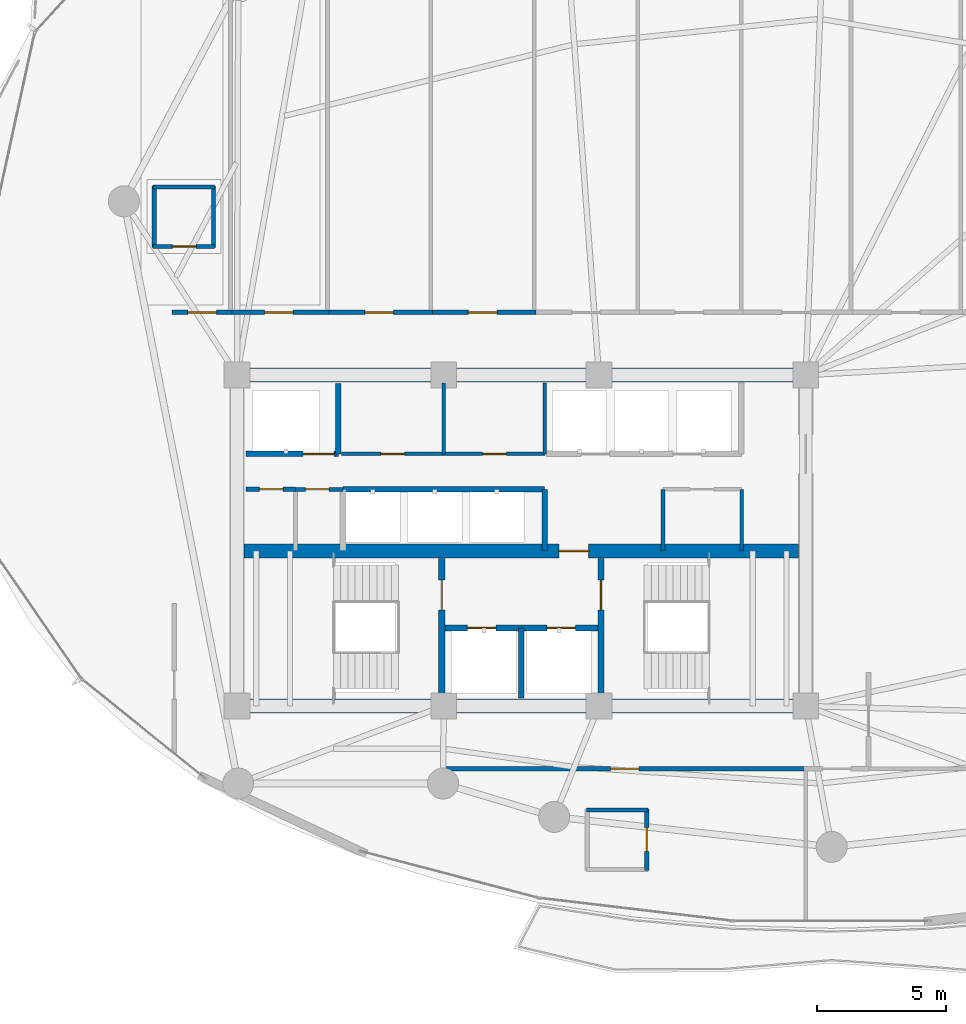
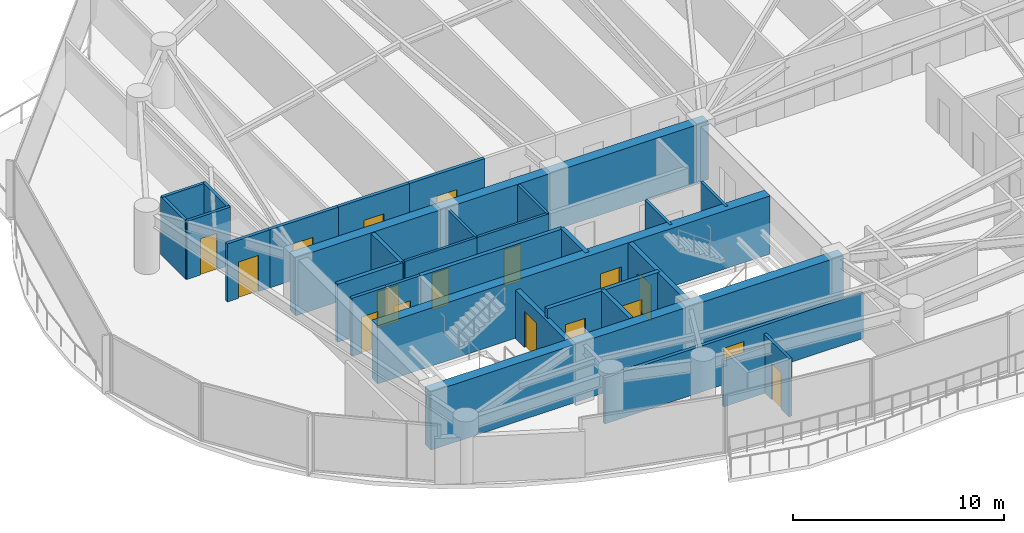
# One storey, part 26 of 34: 30 walls, 17 doors, 17 openings.
"""IFC4 building model written with IfcOpenShell, lengths in metres."""

import ifcopenshell
import ifcopenshell.guid

model = None  # the IFC model being written
_history = None  # IfcOwnerHistory: only IFC2X3 demands one
_inside = {}  # id of a spatial element -> (the spatial element, [elements in it])
_under = {}  # id of a project, library or spatial element -> (it, [spatial elements below it])
_declared = {}  # id of a project -> (the project, [libraries it declares])
_typed = {}  # id of a type object -> (the type object, [elements of that type])
_made_of = {}  # id of a material, layer set ... -> (it, [elements and type objects made of it])


def new_model(schema):
    """Start an empty IFC model of exactly this schema.

    Asked for "IFC4X3", IfcOpenShell would pick the latest addendum, in which some entities
    have other attributes; the version numbers below select the first issue.
    IFC2X3 requires an IfcOwnerHistory on every rooted entity: one is made here for all.
    """
    global model, _history
    if schema == "IFC4X3":
        model = ifcopenshell.file(schema_version=(4, 3, 0, 0))
    else:
        model = ifcopenshell.file(schema=schema)
    _inside.clear()
    _under.clear()
    _declared.clear()
    _typed.clear()
    _made_of.clear()
    _history = None
    if model.schema == "IFC2X3":
        org = make("IfcOrganization", Name="unknown")
        user = make(
            "IfcPersonAndOrganization",
            ThePerson=make("IfcPerson", FamilyName="unknown"),
            TheOrganization=org,
        )
        app = make(
            "IfcApplication",
            ApplicationDeveloper=org,
            Version="unknown",
            ApplicationFullName="unknown",
            ApplicationIdentifier="unknown",
        )
        _history = make(
            "IfcOwnerHistory",
            OwningUser=user,
            OwningApplication=app,
            ChangeAction="ADDED",
            CreationDate=0,
        )
    return model


def make(cls, **values):
    """One entity of the class cls with the attributes given. An attribute that is None is left unset."""
    return model.create_entity(
        cls, **{name: value for name, value in values.items() if value is not None}
    )


def rooted(cls, **values):
    """An entity with a GlobalId (a new one), such as an element, a storey or a relation."""
    return make(cls, GlobalId=ifcopenshell.guid.new(), OwnerHistory=_history, **values)


def si_unit(unit_type, name, prefix=None):
    """IfcSIUnit, for example si_unit("LENGTHUNIT", "METRE", prefix="MILLI")."""
    return make("IfcSIUnit", UnitType=unit_type, Prefix=prefix, Name=name)


def assignment(units):
    """IfcUnitAssignment: the units of a project."""
    return None if units is None else make("IfcUnitAssignment", Units=units)


def point(xyz):
    """IfcCartesianPoint."""
    return None if xyz is None else make("IfcCartesianPoint", Coordinates=xyz)


def direction(xyz):
    """IfcDirection."""
    return None if xyz is None else make("IfcDirection", DirectionRatios=xyz)


def frame(location, z_axis=None, x_axis=None):
    """IfcAxis2Placement3D, a coordinate frame: its origin and axes. An axis left out is left unset."""
    return make(
        "IfcAxis2Placement3D",
        Location=point(location),
        Axis=direction(z_axis),
        RefDirection=direction(x_axis),
    )


def frame_2d(location, x_axis=None):
    """IfcAxis2Placement2D, a coordinate frame in the plane: its origin and x axis."""
    return make(
        "IfcAxis2Placement2D", Location=point(location), RefDirection=direction(x_axis)
    )


def origin():
    """The frame at (0, 0, 0) with its axes left unset."""
    return frame((0.0, 0.0, 0.0))


def place(relative_to, where):
    """IfcLocalPlacement: puts the frame where relative to a parent placement (None: the world)."""
    return make(
        "IfcLocalPlacement", PlacementRelTo=relative_to, RelativePlacement=where
    )


def context(
    kind, dimensions, precision=None, world=None, true_north=None, identifier=None
):
    """IfcGeometricRepresentationContext, for example the 3D "Model" context."""
    return make(
        "IfcGeometricRepresentationContext",
        ContextIdentifier=identifier,
        ContextType=kind,
        CoordinateSpaceDimension=dimensions,
        Precision=precision,
        WorldCoordinateSystem=world,
        TrueNorth=true_north,
    )


def subcontext(parent, identifier, kind, view, scale=None):
    """IfcGeometricRepresentationSubContext, for example "Body" below "Model"."""
    return make(
        "IfcGeometricRepresentationSubContext",
        ContextIdentifier=identifier,
        ContextType=kind,
        ParentContext=parent,
        TargetScale=scale,
        TargetView=view,
    )


def project(units=None, contexts=None):
    """IfcProject with its units and contexts."""
    return rooted(
        "IfcProject",
        Name="project",
        RepresentationContexts=contexts,
        UnitsInContext=assignment(units),
    )


def spatial(cls, under=None, at=None, **own):
    """A site, building, storey or space (cls), placed at a placement, below another one or the project."""
    s = rooted(cls, ObjectPlacement=at, **own)
    if under is not None:
        _under.setdefault(under.id(), (under, []))[1].append(s)
    return s


def profile(cls, at=None, kind="AREA", **sizes):
    """A parametric profile (cls). Its sizes go by their IFC names, for example OverallWidth=200.0."""
    return make(cls, ProfileType=kind, Position=at, **sizes)


def rectangle(**sizes):
    """IfcRectangleProfileDef."""
    return profile("IfcRectangleProfileDef", **sizes)


def extrude(swept, where, along, depth):
    """IfcExtrudedAreaSolid: the profile swept, set in the frame where, extruded along a direction by depth."""
    return make(
        "IfcExtrudedAreaSolid",
        SweptArea=swept,
        Position=where,
        ExtrudedDirection=direction(along),
        Depth=depth,
    )


def shape(context_of_items, identifier, shape_type, items):
    """IfcShapeRepresentation: the items that make up one representation, for example the "Body"."""
    return make(
        "IfcShapeRepresentation",
        ContextOfItems=context_of_items,
        RepresentationIdentifier=identifier,
        RepresentationType=shape_type,
        Items=items,
    )


def material(Name=None, Category=None):
    """IfcMaterial."""
    return make("IfcMaterial", Name=Name, Category=Category)


def layer(
    of_material, thickness, ventilated=None, Name=None, Category=None, Priority=None
):
    """IfcMaterialLayer: one layer of a wall or slab, of a material (None: an air gap)."""
    return make(
        "IfcMaterialLayer",
        Material=of_material,
        LayerThickness=thickness,
        IsVentilated=ventilated,
        Name=Name,
        Category=Category,
        Priority=Priority,
    )


def layer_set(layers, Name=None):
    """IfcMaterialLayerSet."""
    return make("IfcMaterialLayerSet", MaterialLayers=layers, LayerSetName=Name)


def made_of(thing, what):
    """Note that an element or type object is made of a material, layer set ...; save() writes the relation."""
    if what is not None:
        _made_of.setdefault(what.id(), (what, []))[1].append(thing)
    return thing


def type_object(cls, material=None, **own):
    """A type object (cls), such as IfcWallType, which elements share."""
    return made_of(rooted(cls, **own), material)


def element(
    cls,
    number,
    at=None,
    inside=None,
    cuts=None,
    type_object=None,
    material=None,
    context=None,
    identifier="Body",
    shape_type=None,
    held_by="IfcProductDefinitionShape",
    body=None,
    shapes=None,
    **own,
):
    """One element of the class cls, such as IfcWall. Its Tag is "e" and its number.

    at: its placement. inside: the storey or other place that contains it. cuts: it is an
    opening in that element (IfcRelVoidsElement). A single representation is given by context,
    identifier, shape_type and body (its items); several are given by shapes. held_by: the class
    of the entity that holds the representations. save() writes the other relations.
    """
    e = rooted(cls, Tag="e%d" % number, ObjectPlacement=at, **own)
    if body is not None:
        shapes = [shape(context, identifier, shape_type, body)]
    if shapes is not None:
        e.Representation = make(held_by, Representations=shapes)
    if inside is not None:
        _inside.setdefault(inside.id(), (inside, []))[1].append(e)
    if cuts is not None:
        rooted(
            "IfcRelVoidsElement", RelatingBuildingElement=cuts, RelatedOpeningElement=e
        )
    if type_object is not None:
        _typed.setdefault(type_object.id(), (type_object, []))[1].append(e)
    return made_of(e, material)


def fill(opening, filler):
    """IfcRelFillsElement: the door or window that sits in an opening."""
    return rooted(
        "IfcRelFillsElement",
        RelatingOpeningElement=opening,
        RelatedBuildingElement=filler,
    )


def aggregate(whole, parts):
    """IfcRelAggregates: a whole, such as a stair, and the parts it consists of."""
    return rooted("IfcRelAggregates", RelatingObject=whole, RelatedObjects=parts)


def save(model, path):
    """Write the relations noted so far, then the file.

    IfcRelAggregates (storeys below a building ...), IfcRelContainedInSpatialStructure (elements
    in a storey), IfcRelDefinesByType, IfcRelAssociatesMaterial and IfcRelDeclares: one each for
    every whole, place, type object, material and project.
    """
    for whole, parts in _under.values():
        aggregate(whole, parts)
    for where, things in _inside.values():
        rooted(
            "IfcRelContainedInSpatialStructure",
            RelatedElements=things,
            RelatingStructure=where,
        )
    for kind, things in _typed.values():
        rooted("IfcRelDefinesByType", RelatedObjects=things, RelatingType=kind)
    for what, things in _made_of.values():
        rooted("IfcRelAssociatesMaterial", RelatedObjects=things, RelatingMaterial=what)
    for by, libraries in _declared.values():
        rooted("IfcRelDeclares", RelatingContext=by, RelatedDefinitions=libraries)
    model.write(path)


model = new_model("IFC4")

# Units and contexts
model_context = context("Model", 3, precision=1e-05, world=origin(), true_north=direction((0.0, 1.0)))
body_context = subcontext(model_context, "Body", "Model", "MODEL_VIEW")
ifc_project = project(units=[si_unit("LENGTHUNIT", "METRE"), si_unit("AREAUNIT", "SQUARE_METRE"), si_unit("VOLUMEUNIT", "CUBIC_METRE"), si_unit("PLANEANGLEUNIT", "RADIAN"), si_unit("MASSUNIT", "GRAM", prefix="KILO")], contexts=[model_context])

# Site, building, storey
site_placement = place(None, origin())
site = spatial("IfcSite", under=ifc_project, at=site_placement, CompositionType="ELEMENT")
building_placement = place(site_placement, origin())
building = spatial("IfcBuilding", under=site, at=building_placement, Name="Kazevale Care Tower and Concert Hall", CompositionType="ELEMENT")
storey_placement = place(building_placement, frame((0.0, 0.0, 167.39990234375)))
storey = spatial("IfcBuildingStorey", under=building, at=storey_placement, Name="L44", CompositionType="ELEMENT", Elevation=167.39990234375)

# Wall, opening, door
ifc_material_1 = material(Name="Acoustic Gypsum on Steel Stud", Category="steel")
ifc_layer_1 = layer(ifc_material_1, 0.139892578125)
ifc_layer_set_1 = layer_set([ifc_layer_1], Name="Acoustic Gypsum on Steel Stud")
wall_type_1 = type_object("IfcWallType", Name="Acoustic Care & Suite Partition 140", PredefinedType="PARTITIONING", material=ifc_layer_set_1)
wall_1_placement = place(storey_placement, frame((26.050048828125, 33.35009765625, 0.0), z_axis=(0.0, 0.0, 1.0), x_axis=(1.0, 0.0, 0.0)))
wall_1 = element("IfcWall", 1, at=wall_1_placement, inside=storey, type_object=wall_type_1, Name="wall:L44:c_rpl1_s", PredefinedType="PARTITIONING", context=body_context, shape_type="SweptSolid", body=[
    extrude(rectangle(XDim=3.949951171875, YDim=0.139892578125, at=frame_2d((1.97509765625, 0.0))), origin(), (0.0, 0.0, 1.0), 3.360107421875),
])
opening_1_placement = place(wall_1_placement, frame((1.514892578125, 0.0, 0.0)))
opening_1 = element("IfcOpeningElement", 2, at=opening_1_placement, cuts=wall_1, Name="Opening ID-900", PredefinedType="OPENING", context=body_context, shape_type="SweptSolid", body=[
    extrude(rectangle(XDim=0.919921875, YDim=2.10009765625, at=frame_2d((0.4599609375, 1.050048828125))), frame((0.0, 0.079833984375, 0.0), z_axis=(0.0, -1.0, 0.0), x_axis=(1.0, 0.0, 0.0)), (0.0, 0.0, 1.0), 0.159912109375),
])
ifc_material_2 = material(Name="Oak Timber Fire Leaf", Category="wood")
door_type_1 = type_object("IfcDoorType", Name="Bathroom & Service Door 920x2100", OperationType="NOTDEFINED", PredefinedType="DOOR", material=ifc_material_2)
door_1_placement = place(opening_1_placement, origin())
door_1 = element("IfcDoor", 3, at=door_1_placement, inside=storey, type_object=door_type_1, Name="door:L44:d_rpl1", OperationType="SINGLE_SWING_LEFT", OverallHeight=2.10009765625, OverallWidth=0.919921875, PredefinedType="DOOR", context=body_context, shape_type="SweptSolid", body=[
    extrude(rectangle(XDim=0.919921875, YDim=2.10009765625, at=frame_2d((0.4599609375, 1.050048828125))), frame((0.0, 0.02490234375, 0.0), z_axis=(0.0, -1.0, 0.0), x_axis=(1.0, 0.0, 0.0)), (0.0, 0.0, 1.0), 0.050048828125),
])
fill(opening_1, door_1)

wall_2_placement = place(storey_placement, frame((30.0, 33.35009765625, 0.0), z_axis=(0.0, 0.0, 1.0), x_axis=(1.0, 0.0, 0.0)))
wall_2 = element("IfcWall", 4, at=wall_2_placement, inside=storey, type_object=wall_type_1, Name="wall:L44:c_rpl2_s", PredefinedType="PARTITIONING", context=body_context, shape_type="SweptSolid", body=[
    extrude(rectangle(XDim=3.919921875, YDim=0.139892578125, at=frame_2d((1.9599609375, 0.0))), origin(), (0.0, 0.0, 1.0), 3.360107421875),
])
opening_2_placement = place(wall_2_placement, frame((1.5, 0.0, 0.0)))
opening_2 = element("IfcOpeningElement", 5, at=opening_2_placement, cuts=wall_2, Name="Opening ID-900", PredefinedType="OPENING", context=body_context, shape_type="SweptSolid", body=[
    extrude(rectangle(XDim=0.919921875, YDim=2.10009765625, at=frame_2d((0.4599609375, 1.050048828125))), frame((0.0, 0.079833984375, 0.0), z_axis=(0.0, -1.0, 0.0), x_axis=(1.0, 0.0, 0.0)), (0.0, 0.0, 1.0), 0.159912109375),
])
door_2_placement = place(opening_2_placement, origin())
door_2 = element("IfcDoor", 6, at=door_2_placement, inside=storey, type_object=door_type_1, Name="door:L44:d_rpl2", OperationType="SINGLE_SWING_RIGHT", OverallHeight=2.10009765625, OverallWidth=0.919921875, PredefinedType="DOOR", context=body_context, shape_type="SweptSolid", body=[
    extrude(rectangle(XDim=0.919921875, YDim=2.10009765625, at=frame_2d((0.4599609375, 1.050048828125))), frame((0.0, 0.02490234375, 0.0), z_axis=(0.0, -1.0, 0.0), x_axis=(1.0, 0.0, 0.0)), (0.0, 0.0, 1.0), 0.050048828125),
])
fill(opening_2, door_2)

# Walls
for number, where, z_axis, x_axis, name in (
    (7, (30.0, 33.35009765625, 0.0), (0.0, 0.0, 1.0), (0.0, 1.0, 0.0), "wall:L44:c_rpl_m"),
    (8, (33.89990234375, 33.35009765625, 0.0), (0.0, 0.0, 1.0), (0.0, 1.0, 0.0), "wall:L44:c_rpl_e"),
):
    element("IfcWall", number, at=place(storey_placement, frame(where, z_axis=z_axis, x_axis=x_axis)), inside=storey, type_object=wall_type_1, Name=name, PredefinedType="PARTITIONING", context=body_context, shape_type="SweptSolid", body=[
        extrude(rectangle(XDim=2.75, YDim=0.139892578125, at=frame_2d((1.375, 0.0))), origin(), (0.0, 0.0, 1.0), 3.360107421875),
    ])
for number, where, z_axis, x_axis, name in (
    (9, (38.47998046875, 29.6201171875, 0.0), (0.0, 0.0, 1.0), (0.0, 1.0, 0.0), "wall:L44:kb_ew"),
    (10, (41.52001953125, 29.6201171875, 0.0), (0.0, 0.0, 1.0), (0.0, 1.0, 0.0), "wall:L44:kb_ee"),
):
    element("IfcWall", number, at=place(storey_placement, frame(where, z_axis=z_axis, x_axis=x_axis)), inside=storey, type_object=wall_type_1, Name=name, PredefinedType="PARTITIONING", context=body_context, shape_type="SweptSolid", body=[
        extrude(rectangle(XDim=2.35986328125, YDim=0.139892578125, at=frame_2d((1.179931640625, 0.0))), origin(), (0.0, 0.0, 1.0), 3.360107421875),
    ])
ifc_material_3 = material(Name="Concrete C60", Category="concrete")
ifc_layer_2 = layer(ifc_material_3, 0.550048828125)
ifc_layer_set_2 = layer_set([ifc_layer_2], Name="Concrete C60")
wall_type_2 = type_object("IfcWallType", Name="Core Shear Wall 550 C60", PredefinedType="SHEAR", material=ifc_layer_set_2)
for number, where, z_axis, x_axis, name in (
    (11, (21.72509765625, 23.60009765625, 0.0), (0.0, 0.0, 1.0), (1.0, 0.0, 0.0), "wall:L44:core:S"),
    (12, (21.72509765625, 36.39990234375, 0.0), (0.0, 0.0, 1.0), (1.0, 0.0, 0.0), "wall:L44:core:N"),
):
    element("IfcWall", number, at=place(storey_placement, frame(where, z_axis=z_axis, x_axis=x_axis)), inside=storey, type_object=wall_type_2, Name=name, PredefinedType="SHEAR", context=body_context, shape_type="SweptSolid", body=[
        extrude(rectangle(XDim=22.5498046875, YDim=0.550048828125, at=frame_2d((11.27490234375, 0.0))), origin(), (0.0, 0.0, 1.0), 3.360107421875),
    ])

# Wall, opening, door
wall_3_placement = place(storey_placement, frame((22.27490234375, 29.60009765625, 0.0), z_axis=(0.0, 0.0, 1.0), x_axis=(1.0, 0.0, 0.0)))
wall_3 = element("IfcWall", 13, at=wall_3_placement, inside=storey, type_object=wall_type_2, Name="wall:L44:core:M", PredefinedType="SHEAR", context=body_context, shape_type="SweptSolid", body=[
    extrude(rectangle(XDim=21.4501953125, YDim=0.550048828125, at=frame_2d((10.72509765625, 0.0))), origin(), (0.0, 0.0, 1.0), 3.360107421875),
])
opening_3_placement = place(wall_3_placement, frame((12.175048828125, 0.0, 0.0)))
opening_3 = element("IfcOpeningElement", 14, at=opening_3_placement, cuts=wall_3, Name="Opening FD-90", PredefinedType="OPENING", context=body_context, shape_type="SweptSolid", body=[
    extrude(rectangle(XDim=1.14990234375, YDim=2.10009765625, at=frame_2d((0.574951171875, 1.050048828125))), frame((0.0, 0.284912109375, 0.0), z_axis=(0.0, -1.0, 0.0), x_axis=(1.0, 0.0, 0.0)), (0.0, 0.0, 1.0), 0.570068359375),
])
ifc_material_4 = material(Name="Steel ASTM A572 Gr 50", Category="steel")
door_type_2 = type_object("IfcDoorType", Name="Pressurized Stair & Lobby Fire Door 1150x2100", OperationType="NOTDEFINED", PredefinedType="DOOR", material=ifc_material_4)
door_3_placement = place(opening_3_placement, origin())
door_3 = element("IfcDoor", 15, at=door_3_placement, inside=storey, type_object=door_type_2, Name="door:L44:ff_to_pax", OperationType="SINGLE_SWING_LEFT", OverallHeight=2.10009765625, OverallWidth=1.14990234375, PredefinedType="DOOR", context=body_context, shape_type="SweptSolid", body=[
    extrude(rectangle(XDim=1.14990234375, YDim=2.10009765625, at=frame_2d((0.574951171875, 1.050048828125))), frame((0.0, 0.02490234375, 0.0), z_axis=(0.0, -1.0, 0.0), x_axis=(1.0, 0.0, 0.0)), (0.0, 0.0, 1.0), 0.050048828125),
])
fill(opening_3, door_3)

# Wall, openings, doors
ifc_material_5 = material(Name="Concrete C40", Category="concrete")
ifc_layer_3 = layer(ifc_material_5, 0.219970703125)
ifc_layer_set_3 = layer_set([ifc_layer_3], Name="Concrete C40")
wall_type_3 = type_object("IfcWallType", Name="Elevator Hoistway Shaft Wall 220", PredefinedType="SOLIDWALL", material=ifc_layer_set_3)
wall_4_placement = place(storey_placement, frame((29.919921875, 26.6201171875, 0.0), z_axis=(0.0, 0.0, 1.0), x_axis=(1.0, 0.0, 0.0)))
wall_4 = element("IfcWall", 16, at=wall_4_placement, inside=storey, type_object=wall_type_3, Name="wall:L44:c_ffl_n", PredefinedType="SOLIDWALL", context=body_context, shape_type="SweptSolid", body=[
    extrude(rectangle(XDim=6.16015625, YDim=0.219970703125, at=frame_2d((3.080078125, 0.0))), origin(), (0.0, 0.0, 1.0), 3.360107421875),
])
opening_4_placement = place(wall_4_placement, frame((0.989990234375, 0.0, 0.0)))
opening_4 = element("IfcOpeningElement", 17, at=opening_4_placement, cuts=wall_4, Name="Opening LD-FF", PredefinedType="OPENING", context=body_context, shape_type="SweptSolid", body=[
    extrude(rectangle(XDim=1.10009765625, YDim=2.10009765625, at=frame_2d((0.550048828125, 1.050048828125))), frame((0.0, 0.119873046875, 0.0), z_axis=(0.0, -1.0, 0.0), x_axis=(1.0, 0.0, 0.0)), (0.0, 0.0, 1.0), 0.239990234375),
])
opening_5_placement = place(wall_4_placement, frame((4.070068359375, 0.0, 0.0)))
opening_5 = element("IfcOpeningElement", 18, at=opening_5_placement, cuts=wall_4, Name="Opening LD-FF", PredefinedType="OPENING", context=body_context, shape_type="SweptSolid", body=[
    extrude(rectangle(XDim=1.10009765625, YDim=2.10009765625, at=frame_2d((0.550048828125, 1.050048828125))), frame((0.0, 0.119873046875, 0.0), z_axis=(0.0, -1.0, 0.0), x_axis=(1.0, 0.0, 0.0)), (0.0, 0.0, 1.0), 0.239990234375),
])
ifc_material_6 = material(Name="Stainless Steel 316", Category="steel")
door_type_3 = type_object("IfcDoorType", Name="Emergency Lift Sliding Landing Door 1100x2100", OperationType="NOTDEFINED", PredefinedType="DOOR", material=ifc_material_6)
door_4_placement = place(opening_4_placement, origin())
door_4 = element("IfcDoor", 19, at=door_4_placement, inside=storey, type_object=door_type_3, Name="door:L44:ld_ffl1", OperationType="SLIDING_TO_LEFT", OverallHeight=2.10009765625, OverallWidth=1.10009765625, PredefinedType="DOOR", context=body_context, shape_type="SweptSolid", body=[
    extrude(rectangle(XDim=1.10009765625, YDim=2.10009765625, at=frame_2d((0.550048828125, 1.050048828125))), frame((0.0, 0.02490234375, 0.0), z_axis=(0.0, -1.0, 0.0), x_axis=(1.0, 0.0, 0.0)), (0.0, 0.0, 1.0), 0.050048828125),
])
fill(opening_4, door_4)
door_5_placement = place(opening_5_placement, origin())
door_5 = element("IfcDoor", 20, at=door_5_placement, inside=storey, type_object=door_type_3, Name="door:L44:ld_ffl2", OperationType="SLIDING_TO_RIGHT", OverallHeight=2.10009765625, OverallWidth=1.10009765625, PredefinedType="DOOR", context=body_context, shape_type="SweptSolid", body=[
    extrude(rectangle(XDim=1.10009765625, YDim=2.10009765625, at=frame_2d((0.550048828125, 1.050048828125))), frame((0.0, 0.02490234375, 0.0), z_axis=(0.0, -1.0, 0.0), x_axis=(1.0, 0.0, 0.0)), (0.0, 0.0, 1.0), 0.050048828125),
])
fill(opening_5, door_5)

# Walls
wall_5_placement = place(storey_placement, frame((33.0, 23.89990234375, 0.0), z_axis=(0.0, 0.0, 1.0), x_axis=(0.0, 1.0, 0.0)))
element("IfcWall", 21, at=wall_5_placement, inside=storey, type_object=wall_type_3, Name="wall:L44:c_ffl_m", PredefinedType="SOLIDWALL", context=body_context, shape_type="SweptSolid", body=[
    extrude(rectangle(XDim=2.72021484375, YDim=0.219970703125, at=frame_2d((1.360107421875, 0.0))), origin(), (0.0, 0.0, 1.0), 3.360107421875),
])
wall_6_placement = place(storey_placement, frame((25.919921875, 33.35009765625, 0.0), z_axis=(0.0, 0.0, 1.0), x_axis=(0.0, 1.0, 0.0)))
element("IfcWall", 22, at=wall_6_placement, inside=storey, type_object=wall_type_3, Name="wall:L44:c_svl_e", PredefinedType="SOLIDWALL", context=body_context, shape_type="SweptSolid", body=[
    extrude(rectangle(XDim=2.72998046875, YDim=0.219970703125, at=frame_2d((1.364990234375, 0.0))), origin(), (0.0, 0.0, 1.0), 3.360107421875),
])

# Wall, opening, door
wall_7_placement = place(storey_placement, frame((22.35009765625, 33.35009765625, 0.0), z_axis=(0.0, 0.0, 1.0), x_axis=(1.0, 0.0, 0.0)))
wall_7 = element("IfcWall", 23, at=wall_7_placement, inside=storey, type_object=wall_type_3, Name="wall:L44:c_svl_s", PredefinedType="SOLIDWALL", context=body_context, shape_type="SweptSolid", body=[
    extrude(rectangle(XDim=3.56982421875, YDim=0.219970703125, at=frame_2d((1.784912109375, 0.0))), origin(), (0.0, 0.0, 1.0), 3.360107421875),
])
opening_6_placement = place(wall_7_placement, frame((2.212890625, 0.0, 0.0)))
opening_6 = element("IfcOpeningElement", 24, at=opening_6_placement, cuts=wall_7, Name="Opening LD-SV", PredefinedType="OPENING", context=body_context, shape_type="SweptSolid", body=[
    extrude(rectangle(XDim=1.199951171875, YDim=2.10009765625, at=frame_2d((0.60009765625, 1.050048828125))), frame((0.0, 0.119873046875, 0.0), z_axis=(0.0, -1.0, 0.0), x_axis=(1.0, 0.0, 0.0)), (0.0, 0.0, 1.0), 0.239990234375),
])
door_type_4 = type_object("IfcDoorType", Name="Service Lift Sliding Landing Door 1200x2100", OperationType="NOTDEFINED", PredefinedType="DOOR", material=ifc_material_6)
door_6_placement = place(opening_6_placement, origin())
door_6 = element("IfcDoor", 25, at=door_6_placement, inside=storey, type_object=door_type_4, Name="door:L44:ld_svl1", OperationType="SLIDING_TO_LEFT", OverallHeight=2.10009765625, OverallWidth=1.199951171875, PredefinedType="DOOR", context=body_context, shape_type="SweptSolid", body=[
    extrude(rectangle(XDim=1.199951171875, YDim=2.10009765625, at=frame_2d((0.60009765625, 1.050048828125))), frame((0.0, 0.02490234375, 0.0), z_axis=(0.0, -1.0, 0.0), x_axis=(1.0, 0.0, 0.0)), (0.0, 0.0, 1.0), 0.050048828125),
])
fill(opening_6, door_6)

# Walls
wall_8_placement = place(storey_placement, frame((26.10009765625, 31.97998046875, 0.0), z_axis=(0.0, 0.0, 1.0), x_axis=(1.0, 0.0, 0.0)))
element("IfcWall", 26, at=wall_8_placement, inside=storey, type_object=wall_type_3, Name="wall:L44:c_ph_n", PredefinedType="SOLIDWALL", context=body_context, shape_type="SweptSolid", body=[
    extrude(rectangle(XDim=7.7998046875, YDim=0.219970703125, at=frame_2d((3.89990234375, 0.0))), origin(), (0.0, 0.0, 1.0), 3.360107421875),
])
wall_9_placement = place(storey_placement, frame((33.89990234375, 29.6201171875, 0.0), z_axis=(0.0, 0.0, 1.0), x_axis=(0.0, 1.0, 0.0)))
element("IfcWall", 27, at=wall_9_placement, inside=storey, type_object=wall_type_3, Name="wall:L44:c_ph_e", PredefinedType="SOLIDWALL", context=body_context, shape_type="SweptSolid", body=[
    extrude(rectangle(XDim=2.35986328125, YDim=0.219970703125, at=frame_2d((1.179931640625, 0.0))), origin(), (0.0, 0.0, 1.0), 3.360107421875),
])

# Wall, opening, door
ifc_material_7 = material(Name="Concrete C40 and Acoustic Gypsum", Category="concrete")
ifc_layer_4 = layer(ifc_material_7, 0.179931640625)
ifc_layer_set_4 = layer_set([ifc_layer_4], Name="Concrete C40 and Acoustic Gypsum")
wall_type_4 = type_object("IfcWallType", Name="Fire-Rated Corridor & Party Wall 180", PredefinedType="PARTITIONING", material=ifc_layer_set_4)
wall_10_placement = place(storey_placement, frame((22.35009765625, 31.97998046875, 0.0), z_axis=(0.0, 0.0, 1.0), x_axis=(1.0, 0.0, 0.0)))
wall_10 = element("IfcWall", 28, at=wall_10_placement, inside=storey, type_object=wall_type_4, Name="wall:L44:kb_wn0", PredefinedType="PARTITIONING", context=body_context, shape_type="SweptSolid", body=[
    extrude(rectangle(XDim=1.909912109375, YDim=0.179931640625, at=frame_2d((0.955078125, 0.0))), origin(), (0.0, 0.0, 1.0), 3.360107421875),
])
opening_7_placement = place(wall_10_placement, frame((0.514892578125, 0.0, 0.0)))
opening_7 = element("IfcOpeningElement", 29, at=opening_7_placement, cuts=wall_10, Name="Opening ID-900", PredefinedType="OPENING", context=body_context, shape_type="SweptSolid", body=[
    extrude(rectangle(XDim=0.919921875, YDim=2.10009765625, at=frame_2d((0.4599609375, 1.050048828125))), frame((0.0, 0.099853515625, 0.0), z_axis=(0.0, -1.0, 0.0), x_axis=(1.0, 0.0, 0.0)), (0.0, 0.0, 1.0), 0.199951171875),
])
door_7_placement = place(opening_7_placement, origin())
door_7 = element("IfcDoor", 30, at=door_7_placement, inside=storey, type_object=door_type_1, Name="door:L44:d_kbw1", OperationType="SINGLE_SWING_LEFT", OverallHeight=2.10009765625, OverallWidth=0.919921875, PredefinedType="DOOR", context=body_context, shape_type="SweptSolid", body=[
    extrude(rectangle(XDim=0.919921875, YDim=2.10009765625, at=frame_2d((0.4599609375, 1.050048828125))), frame((0.0, 0.02490234375, 0.0), z_axis=(0.0, -1.0, 0.0), x_axis=(1.0, 0.0, 0.0)), (0.0, 0.0, 1.0), 0.050048828125),
])
fill(opening_7, door_7)

wall_11_placement = place(storey_placement, frame((19.4951171875, 38.824951171875, 0.0), z_axis=(0.0, 0.0, 1.0), x_axis=(1.0, 0.0, 0.0)))
wall_11 = element("IfcWall", 31, at=wall_11_placement, inside=storey, type_object=wall_type_4, Name="wall:L44:auto_001", PredefinedType="PARTITIONING", context=body_context, shape_type="SweptSolid", body=[
    extrude(rectangle(XDim=2.31982421875, YDim=0.179931640625, at=frame_2d((1.159912109375, 0.0))), origin(), (0.0, 0.0, 1.0), 3.360107421875),
])
opening_8_placement = place(wall_11_placement, frame((0.610107421875, 0.0, 0.0)))
opening_8 = element("IfcOpeningElement", 32, at=opening_8_placement, cuts=wall_11, Name="Opening ID-1100", PredefinedType="OPENING", context=body_context, shape_type="SweptSolid", body=[
    extrude(rectangle(XDim=1.10009765625, YDim=2.10009765625, at=frame_2d((0.550048828125, 1.050048828125))), frame((0.0, 0.099853515625, 0.0), z_axis=(0.0, -1.0, 0.0), x_axis=(1.0, 0.0, 0.0)), (0.0, 0.0, 1.0), 0.199951171875),
])
door_type_5 = type_object("IfcDoorType", Name="Care Bedroom Accessible Door 1100x2100", OperationType="NOTDEFINED", PredefinedType="DOOR", material=ifc_material_2)
door_8_placement = place(opening_8_placement, origin())
door_8 = element("IfcDoor", 33, at=door_8_placement, inside=storey, type_object=door_type_5, Name="door:L44:ad_001", OperationType="SINGLE_SWING_LEFT", OverallHeight=2.10009765625, OverallWidth=1.10009765625, PredefinedType="DOOR", context=body_context, shape_type="SweptSolid", body=[
    extrude(rectangle(XDim=1.10009765625, YDim=2.10009765625, at=frame_2d((0.550048828125, 1.050048828125))), frame((0.0, 0.02490234375, 0.0), z_axis=(0.0, -1.0, 0.0), x_axis=(1.0, 0.0, 0.0)), (0.0, 0.0, 1.0), 0.050048828125),
])
fill(opening_8, door_8)

wall_12_placement = place(storey_placement, frame((21.68505859375, 38.824951171875, 0.0), z_axis=(0.0, 0.0, 1.0), x_axis=(1.0, 0.0, 0.0)))
wall_12 = element("IfcWall", 34, at=wall_12_placement, inside=storey, type_object=wall_type_4, Name="wall:L44:auto_002", PredefinedType="PARTITIONING", context=body_context, shape_type="SweptSolid", body=[
    extrude(rectangle(XDim=3.8798828125, YDim=0.179931640625, at=frame_2d((1.93994140625, 0.0))), origin(), (0.0, 0.0, 1.0), 3.360107421875),
])
opening_9_placement = place(wall_12_placement, frame((1.389892578125, 0.0, 0.0)))
opening_9 = element("IfcOpeningElement", 35, at=opening_9_placement, cuts=wall_12, Name="Opening ID-1100", PredefinedType="OPENING", context=body_context, shape_type="SweptSolid", body=[
    extrude(rectangle(XDim=1.10009765625, YDim=2.10009765625, at=frame_2d((0.550048828125, 1.050048828125))), frame((0.0, 0.099853515625, 0.0), z_axis=(0.0, -1.0, 0.0), x_axis=(1.0, 0.0, 0.0)), (0.0, 0.0, 1.0), 0.199951171875),
])
door_9_placement = place(opening_9_placement, origin())
door_9 = element("IfcDoor", 36, at=door_9_placement, inside=storey, type_object=door_type_5, Name="door:L44:ad_002", OperationType="SINGLE_SWING_LEFT", OverallHeight=2.10009765625, OverallWidth=1.10009765625, PredefinedType="DOOR", context=body_context, shape_type="SweptSolid", body=[
    extrude(rectangle(XDim=1.10009765625, YDim=2.10009765625, at=frame_2d((0.550048828125, 1.050048828125))), frame((0.0, 0.02490234375, 0.0), z_axis=(0.0, -1.0, 0.0), x_axis=(1.0, 0.0, 0.0)), (0.0, 0.0, 1.0), 0.050048828125),
])
fill(opening_9, door_9)

wall_13_placement = place(storey_placement, frame((25.43505859375, 38.824951171875, 0.0), z_axis=(0.0, 0.0, 1.0), x_axis=(1.0, 0.0, 0.0)))
wall_13 = element("IfcWall", 37, at=wall_13_placement, inside=storey, type_object=wall_type_4, Name="wall:L44:auto_003", PredefinedType="PARTITIONING", context=body_context, shape_type="SweptSolid", body=[
    extrude(rectangle(XDim=4.1298828125, YDim=0.179931640625, at=frame_2d((2.06494140625, 0.0))), origin(), (0.0, 0.0, 1.0), 3.360107421875),
])
opening_10_placement = place(wall_13_placement, frame((1.514892578125, 0.0, 0.0)))
opening_10 = element("IfcOpeningElement", 38, at=opening_10_placement, cuts=wall_13, Name="Opening ID-1100", PredefinedType="OPENING", context=body_context, shape_type="SweptSolid", body=[
    extrude(rectangle(XDim=1.10009765625, YDim=2.10009765625, at=frame_2d((0.550048828125, 1.050048828125))), frame((0.0, 0.099853515625, 0.0), z_axis=(0.0, -1.0, 0.0), x_axis=(1.0, 0.0, 0.0)), (0.0, 0.0, 1.0), 0.199951171875),
])
door_10_placement = place(opening_10_placement, origin())
door_10 = element("IfcDoor", 39, at=door_10_placement, inside=storey, type_object=door_type_5, Name="door:L44:ad_003", OperationType="SINGLE_SWING_LEFT", OverallHeight=2.10009765625, OverallWidth=1.10009765625, PredefinedType="DOOR", context=body_context, shape_type="SweptSolid", body=[
    extrude(rectangle(XDim=1.10009765625, YDim=2.10009765625, at=frame_2d((0.550048828125, 1.050048828125))), frame((0.0, 0.02490234375, 0.0), z_axis=(0.0, -1.0, 0.0), x_axis=(1.0, 0.0, 0.0)), (0.0, 0.0, 1.0), 0.050048828125),
])
fill(opening_10, door_10)

wall_14_placement = place(storey_placement, frame((29.43505859375, 38.824951171875, 0.0), z_axis=(0.0, 0.0, 1.0), x_axis=(1.0, 0.0, 0.0)))
wall_14 = element("IfcWall", 40, at=wall_14_placement, inside=storey, type_object=wall_type_4, Name="wall:L44:auto_004", PredefinedType="PARTITIONING", context=body_context, shape_type="SweptSolid", body=[
    extrude(rectangle(XDim=4.1298828125, YDim=0.179931640625, at=frame_2d((2.06494140625, 0.0))), origin(), (0.0, 0.0, 1.0), 3.360107421875),
])
opening_11_placement = place(wall_14_placement, frame((1.514892578125, 0.0, 0.0)))
opening_11 = element("IfcOpeningElement", 41, at=opening_11_placement, cuts=wall_14, Name="Opening ID-1100", PredefinedType="OPENING", context=body_context, shape_type="SweptSolid", body=[
    extrude(rectangle(XDim=1.10009765625, YDim=2.10009765625, at=frame_2d((0.550048828125, 1.050048828125))), frame((0.0, 0.099853515625, 0.0), z_axis=(0.0, -1.0, 0.0), x_axis=(1.0, 0.0, 0.0)), (0.0, 0.0, 1.0), 0.199951171875),
])
door_11_placement = place(opening_11_placement, origin())
door_11 = element("IfcDoor", 42, at=door_11_placement, inside=storey, type_object=door_type_5, Name="door:L44:ad_004", OperationType="SINGLE_SWING_LEFT", OverallHeight=2.10009765625, OverallWidth=1.10009765625, PredefinedType="DOOR", context=body_context, shape_type="SweptSolid", body=[
    extrude(rectangle(XDim=1.10009765625, YDim=2.10009765625, at=frame_2d((0.550048828125, 1.050048828125))), frame((0.0, 0.02490234375, 0.0), z_axis=(0.0, -1.0, 0.0), x_axis=(1.0, 0.0, 0.0)), (0.0, 0.0, 1.0), 0.050048828125),
])
fill(opening_11, door_11)

wall_15_placement = place(storey_placement, frame((44.06494140625, 21.175048828125, 0.0), z_axis=(0.0, 0.0, 1.0), x_axis=(-1.0, 0.0, 0.0)))
wall_15 = element("IfcWall", 43, at=wall_15_placement, inside=storey, type_object=wall_type_4, Name="wall:L44:auto_021", PredefinedType="PARTITIONING", context=body_context, shape_type="SweptSolid", body=[
    extrude(rectangle(XDim=14.1298828125, YDim=0.179931640625, at=frame_2d((7.06494140625, 0.0))), origin(), (0.0, 0.0, 1.0), 2.656982421875),
])
opening_12_placement = place(wall_15_placement, frame((6.514892578125, 0.0, 0.0)))
opening_12 = element("IfcOpeningElement", 44, at=opening_12_placement, cuts=wall_15, Name="Opening ID-1100", PredefinedType="OPENING", context=body_context, shape_type="SweptSolid", body=[
    extrude(rectangle(XDim=1.10009765625, YDim=2.10009765625, at=frame_2d((0.550048828125, 1.050048828125))), frame((0.0, 0.099853515625, 0.0), z_axis=(0.0, -1.0, 0.0), x_axis=(1.0, 0.0, 0.0)), (0.0, 0.0, 1.0), 0.199951171875),
])
door_12_placement = place(opening_12_placement, origin())
door_12 = element("IfcDoor", 45, at=door_12_placement, inside=storey, type_object=door_type_5, Name="door:L44:ad_021", OperationType="SINGLE_SWING_LEFT", OverallHeight=2.10009765625, OverallWidth=1.10009765625, PredefinedType="DOOR", context=body_context, shape_type="SweptSolid", body=[
    extrude(rectangle(XDim=1.10009765625, YDim=2.10009765625, at=frame_2d((0.550048828125, 1.050048828125))), frame((0.0, 0.02490234375, 0.0), z_axis=(0.0, -1.0, 0.0), x_axis=(1.0, 0.0, 0.0)), (0.0, 0.0, 1.0), 0.050048828125),
])
fill(opening_12, door_12)

ifc_layer_5 = layer(ifc_material_1, 0.159912109375)
ifc_layer_set_5 = layer_set([ifc_layer_5], Name="Acoustic Gypsum on Steel Stud")
wall_type_5 = type_object("IfcWallType", Name="Moisture-Resistant Bathroom Plumbing Wall 160", PredefinedType="PLUMBINGWALL", material=ifc_layer_set_5)
wall_16_placement = place(storey_placement, frame((24.260009765625, 31.97998046875, 0.0), z_axis=(0.0, 0.0, 1.0), x_axis=(1.0, 0.0, 0.0)))
wall_16 = element("IfcWall", 46, at=wall_16_placement, inside=storey, type_object=wall_type_5, Name="wall:L44:kb_wn1", PredefinedType="PLUMBINGWALL", context=body_context, shape_type="SweptSolid", body=[
    extrude(rectangle(XDim=1.840087890625, YDim=0.159912109375, at=frame_2d((0.919921875, 0.0))), origin(), (0.0, 0.0, 1.0), 3.360107421875),
])
opening_13_placement = place(wall_16_placement, frame((0.387939453125, 0.0, 0.0)))
opening_13 = element("IfcOpeningElement", 47, at=opening_13_placement, cuts=wall_16, Name="Opening ID-900", PredefinedType="OPENING", context=body_context, shape_type="SweptSolid", body=[
    extrude(rectangle(XDim=0.919921875, YDim=2.10009765625, at=frame_2d((0.4599609375, 1.050048828125))), frame((0.0, 0.08984375, 0.0), z_axis=(0.0, -1.0, 0.0), x_axis=(1.0, 0.0, 0.0)), (0.0, 0.0, 1.0), 0.179931640625),
])
door_13_placement = place(opening_13_placement, origin())
door_13 = element("IfcDoor", 48, at=door_13_placement, inside=storey, type_object=door_type_1, Name="door:L44:d_kbw2", OperationType="SINGLE_SWING_RIGHT", OverallHeight=2.10009765625, OverallWidth=0.919921875, PredefinedType="DOOR", context=body_context, shape_type="SweptSolid", body=[
    extrude(rectangle(XDim=0.919921875, YDim=2.10009765625, at=frame_2d((0.4599609375, 1.050048828125))), frame((0.0, 0.02490234375, 0.0), z_axis=(0.0, -1.0, 0.0), x_axis=(1.0, 0.0, 0.0)), (0.0, 0.0, 1.0), 0.050048828125),
])
fill(opening_13, door_13)

wall_17_placement = place(storey_placement, frame((18.760009765625, 41.375, 0.0), z_axis=(0.0, 0.0, 1.0), x_axis=(1.0, 0.0, 0.0)))
wall_17 = element("IfcWall", 49, at=wall_17_placement, inside=storey, type_object=wall_type_5, Name="wall:L44:nb2a_ens_ws", PredefinedType="PLUMBINGWALL", context=body_context, shape_type="SweptSolid", body=[
    extrude(rectangle(XDim=2.3798828125, YDim=0.159912109375, at=frame_2d((1.18994140625, 0.0))), origin(), (0.0, 0.0, 1.0), 3.360107421875),
])
opening_14_placement = place(wall_17_placement, frame((0.739990234375, 0.0, 0.0)))
opening_14 = element("IfcOpeningElement", 50, at=opening_14_placement, cuts=wall_17, Name="Opening ID-900", PredefinedType="OPENING", context=body_context, shape_type="SweptSolid", body=[
    extrude(rectangle(XDim=0.919921875, YDim=2.10009765625, at=frame_2d((0.4599609375, 1.050048828125))), frame((0.0, 0.08984375, 0.0), z_axis=(0.0, -1.0, 0.0), x_axis=(1.0, 0.0, 0.0)), (0.0, 0.0, 1.0), 0.179931640625),
])
door_14_placement = place(opening_14_placement, origin())
door_14 = element("IfcDoor", 51, at=door_14_placement, inside=storey, type_object=door_type_1, Name="door:L44:nb2a_ens_d", OperationType="SINGLE_SWING_LEFT", OverallHeight=2.10009765625, OverallWidth=0.919921875, PredefinedType="DOOR", context=body_context, shape_type="SweptSolid", body=[
    extrude(rectangle(XDim=0.919921875, YDim=2.10009765625, at=frame_2d((0.4599609375, 1.050048828125))), frame((0.0, 0.02490234375, 0.0), z_axis=(0.0, -1.0, 0.0), x_axis=(1.0, 0.0, 0.0)), (0.0, 0.0, 1.0), 0.050048828125),
])
fill(opening_14, door_14)

# Walls
wall_18_placement = place(storey_placement, frame((18.760009765625, 43.675048828125, 0.0), z_axis=(0.0, 0.0, 1.0), x_axis=(1.0, 0.0, 0.0)))
element("IfcWall", 52, at=wall_18_placement, inside=storey, type_object=wall_type_5, Name="wall:L44:nb2a_ens_wn", PredefinedType="PLUMBINGWALL", context=body_context, shape_type="SweptSolid", body=[
    extrude(rectangle(XDim=2.3798828125, YDim=0.159912109375, at=frame_2d((1.18994140625, 0.0))), origin(), (0.0, 0.0, 1.0), 3.360107421875),
])
for number, where, z_axis, x_axis, name in (
    (53, (18.800048828125, 41.3349609375, 0.0), (0.0, 0.0, 1.0), (0.0, 1.0, 0.0), "wall:L44:nb2a_ens_ww"),
    (54, (21.10009765625, 41.3349609375, 0.0), (0.0, 0.0, 1.0), (0.0, 1.0, 0.0), "wall:L44:nb2a_ens_we"),
):
    element("IfcWall", number, at=place(storey_placement, frame(where, z_axis=z_axis, x_axis=x_axis)), inside=storey, type_object=wall_type_5, Name=name, PredefinedType="PLUMBINGWALL", context=body_context, shape_type="SweptSolid", body=[
        extrude(rectangle(XDim=2.380126953125, YDim=0.159912109375, at=frame_2d((1.18994140625, 0.0))), origin(), (0.0, 0.0, 1.0), 3.360107421875),
    ])
wall_19_placement = place(storey_placement, frame((35.510009765625, 19.573974609375, 0.0), z_axis=(0.0, 0.0, 1.0), x_axis=(1.0, 0.0, 0.0)))
element("IfcWall", 55, at=wall_19_placement, inside=storey, type_object=wall_type_5, Name="wall:L44:sb2_ens_wn", PredefinedType="PLUMBINGWALL", context=body_context, shape_type="SweptSolid", body=[
    extrude(rectangle(XDim=2.3798828125, YDim=0.159912109375, at=frame_2d((1.18994140625, 0.0))), origin(), (0.0, 0.0, 1.0), 2.656982421875),
])

# Wall, opening, door
wall_20_placement = place(storey_placement, frame((37.85009765625, 17.23388671875, 0.0), z_axis=(0.0, 0.0, 1.0), x_axis=(0.0, 1.0, 0.0)))
wall_20 = element("IfcWall", 56, at=wall_20_placement, inside=storey, type_object=wall_type_5, Name="wall:L44:sb2_ens_we", PredefinedType="PLUMBINGWALL", context=body_context, shape_type="SweptSolid", body=[
    extrude(rectangle(XDim=2.380126953125, YDim=0.159912109375, at=frame_2d((1.18994140625, 0.0))), origin(), (0.0, 0.0, 1.0), 3.360107421875),
])
opening_15_placement = place(wall_20_placement, frame((0.739990234375, 0.0, 0.0)))
opening_15 = element("IfcOpeningElement", 57, at=opening_15_placement, cuts=wall_20, Name="Opening ID-900", PredefinedType="OPENING", context=body_context, shape_type="SweptSolid", body=[
    extrude(rectangle(XDim=0.919921875, YDim=2.10009765625, at=frame_2d((0.4599609375, 1.050048828125))), frame((0.0, 0.08984375, 0.0), z_axis=(0.0, -1.0, 0.0), x_axis=(1.0, 0.0, 0.0)), (0.0, 0.0, 1.0), 0.179931640625),
])
door_15_placement = place(opening_15_placement, origin())
door_15 = element("IfcDoor", 58, at=door_15_placement, inside=storey, type_object=door_type_1, Name="door:L44:sb2_ens_d", OperationType="SINGLE_SWING_LEFT", OverallHeight=2.10009765625, OverallWidth=0.919921875, PredefinedType="DOOR", context=body_context, shape_type="SweptSolid", body=[
    extrude(rectangle(XDim=0.919921875, YDim=2.10009765625, at=frame_2d((0.4599609375, 1.050048828125))), frame((0.0, 0.02490234375, 0.0), z_axis=(0.0, -1.0, 0.0), x_axis=(1.0, 0.0, 0.0)), (0.0, 0.0, 1.0), 0.050048828125),
])
fill(opening_15, door_15)

ifc_layer_6 = layer(ifc_material_5, 0.25)
ifc_layer_set_6 = layer_set([ifc_layer_6], Name="Concrete C40")
wall_type_6 = type_object("IfcWallType", Name="Pressurized Stair Shaft Wall 250", PredefinedType="SOLIDWALL", material=ifc_layer_set_6)
wall_21_placement = place(storey_placement, frame((29.919921875, 23.89990234375, 0.0), z_axis=(0.0, 0.0, 1.0), x_axis=(0.0, 1.0, 0.0)))
wall_21 = element("IfcWall", 59, at=wall_21_placement, inside=storey, type_object=wall_type_6, Name="wall:L44:c_st1_e", PredefinedType="SOLIDWALL", context=body_context, shape_type="SweptSolid", body=[
    extrude(rectangle(XDim=5.400146484375, YDim=0.25, at=frame_2d((2.7001953125, 0.0))), origin(), (0.0, 0.0, 1.0), 2.80615234375),
])
opening_16_placement = place(wall_21_placement, frame((3.4208984375, 0.0, 0.0)))
opening_16 = element("IfcOpeningElement", 60, at=opening_16_placement, cuts=wall_21, Name="Opening FD-90", PredefinedType="OPENING", context=body_context, shape_type="SweptSolid", body=[
    extrude(rectangle(XDim=1.14990234375, YDim=2.10009765625, at=frame_2d((0.574951171875, 1.050048828125))), frame((0.0, 0.135009765625, 0.0), z_axis=(0.0, -1.0, 0.0), x_axis=(1.0, 0.0, 0.0)), (0.0, 0.0, 1.0), 0.27001953125),
])
door_16_placement = place(opening_16_placement, origin())
door_16 = element("IfcDoor", 61, at=door_16_placement, inside=storey, type_object=door_type_2, Name="door:L44:st1", OperationType="SINGLE_SWING_RIGHT", OverallHeight=2.10009765625, OverallWidth=1.14990234375, PredefinedType="DOOR", context=body_context, shape_type="SweptSolid", body=[
    extrude(rectangle(XDim=1.14990234375, YDim=2.10009765625, at=frame_2d((0.574951171875, 1.050048828125))), frame((0.0, 0.02490234375, 0.0), z_axis=(0.0, -1.0, 0.0), x_axis=(1.0, 0.0, 0.0)), (0.0, 0.0, 1.0), 0.050048828125),
])
fill(opening_16, door_16)

wall_22_placement = place(storey_placement, frame((36.080078125, 23.89990234375, 0.0), z_axis=(0.0, 0.0, 1.0), x_axis=(0.0, 1.0, 0.0)))
wall_22 = element("IfcWall", 62, at=wall_22_placement, inside=storey, type_object=wall_type_6, Name="wall:L44:c_st2_w", PredefinedType="SOLIDWALL", context=body_context, shape_type="SweptSolid", body=[
    extrude(rectangle(XDim=5.400146484375, YDim=0.25, at=frame_2d((2.7001953125, 0.0))), origin(), (0.0, 0.0, 1.0), 3.360107421875),
])
opening_17_placement = place(wall_22_placement, frame((3.4208984375, 0.0, 0.0)))
opening_17 = element("IfcOpeningElement", 63, at=opening_17_placement, cuts=wall_22, Name="Opening FD-90", PredefinedType="OPENING", context=body_context, shape_type="SweptSolid", body=[
    extrude(rectangle(XDim=1.14990234375, YDim=2.10009765625, at=frame_2d((0.574951171875, 1.050048828125))), frame((0.0, 0.135009765625, 0.0), z_axis=(0.0, -1.0, 0.0), x_axis=(1.0, 0.0, 0.0)), (0.0, 0.0, 1.0), 0.27001953125),
])
door_17_placement = place(opening_17_placement, origin())
door_17 = element("IfcDoor", 64, at=door_17_placement, inside=storey, type_object=door_type_2, Name="door:L44:st2", OperationType="SINGLE_SWING_LEFT", OverallHeight=2.10009765625, OverallWidth=1.14990234375, PredefinedType="DOOR", context=body_context, shape_type="SweptSolid", body=[
    extrude(rectangle(XDim=1.14990234375, YDim=2.10009765625, at=frame_2d((0.574951171875, 1.050048828125))), frame((0.0, 0.02490234375, 0.0), z_axis=(0.0, -1.0, 0.0), x_axis=(1.0, 0.0, 0.0)), (0.0, 0.0, 1.0), 0.050048828125),
])
fill(opening_17, door_17)

save(model, "model.ifc")
